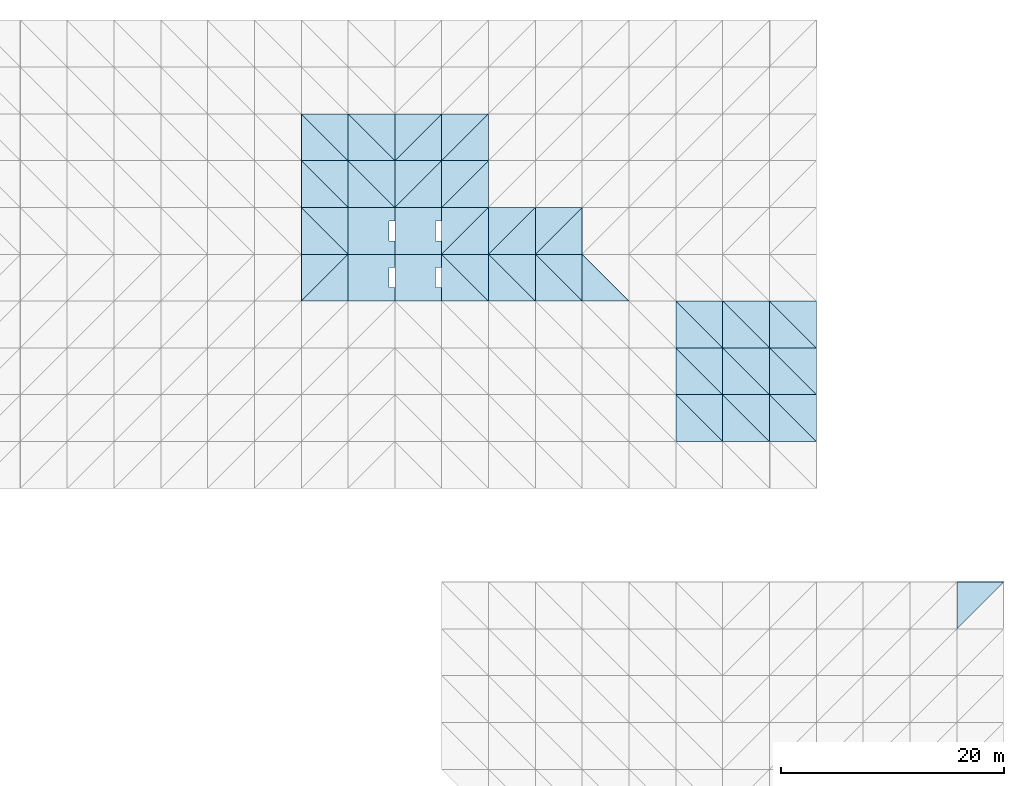
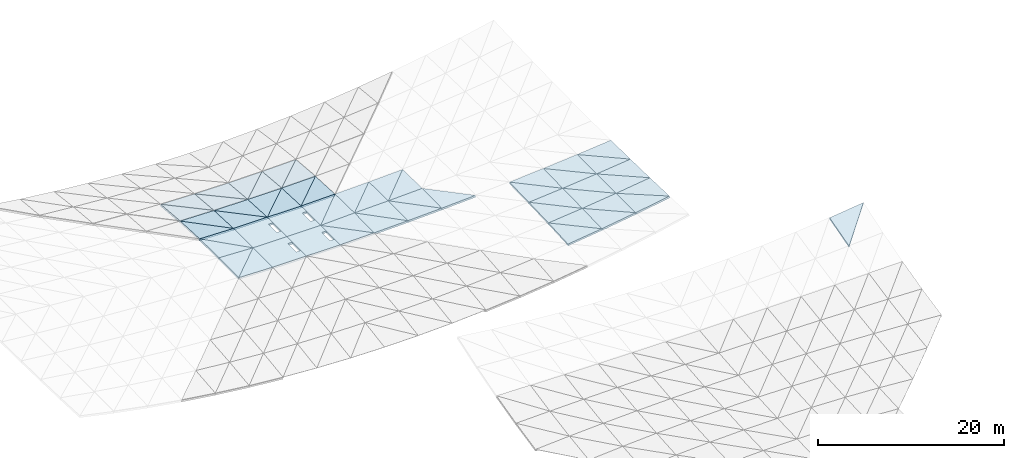
# One storey, part 27 of 64: 56 slabs.
"""IFC4 building model written with IfcOpenShell, lengths in metres."""

from ifc_helpers import new_model, si_unit, direction, frame, origin, place, context, subcontext, project, spatial, polyline, outline, extrude, material, layer, layer_set, type_object, element, save


model = new_model("IFC4")

# Units and contexts
model_context = context("Model", 3, precision=1e-05, world=origin(), true_north=direction((0.0, 1.0)))
body_context = subcontext(model_context, "Body", "Model", "MODEL_VIEW")
ifc_project = project(units=[si_unit("LENGTHUNIT", "METRE"), si_unit("AREAUNIT", "SQUARE_METRE"), si_unit("VOLUMEUNIT", "CUBIC_METRE"), si_unit("PLANEANGLEUNIT", "RADIAN"), si_unit("MASSUNIT", "GRAM", prefix="KILO")], contexts=[model_context])

# Site, building, storey
site_placement = place(None, origin())
site = spatial("IfcSite", under=ifc_project, at=site_placement, CompositionType="ELEMENT")
building_placement = place(site_placement, origin())
building = spatial("IfcBuilding", under=site, at=building_placement, Name="Cumbredor Promenade Congress Hotel", CompositionType="ELEMENT")
storey_placement = place(building_placement, frame((0.0, 0.0, 18.47998046875)))
storey = spatial("IfcBuildingStorey", under=building, at=storey_placement, Name="L05", CompositionType="ELEMENT", Elevation=18.47998046875)

# Slabs
ifc_material = material(Name="Concrete C40/50", Category="concrete")
ifc_layer = layer(ifc_material, 0.25, Name="Concrete C40/50", Category="concrete")
ifc_layer_set = layer_set([ifc_layer], Name="Concrete C40/50")
slab_type = type_object("IfcSlabType", Name="Catenary Space Frame Roof Deck 250mm", PredefinedType="ROOF", material=ifc_layer_set)
slab_1_placement = place(storey_placement, frame((184.800048828125, 67.199951171875, 3.02685546875), z_axis=(-0.118242562971, -0.267282671727, 0.956336065249), x_axis=(0.680018566113, 0.680018566113, 0.274134090333)))
element("IfcSlab", 1, at=slab_1_placement, inside=storey, type_object=slab_type, Name="Grand Ballroom Pavilion Sweeping Roof Deck Facet 12.17.2", PredefinedType="ROOF", context=body_context, shape_type="SweptSolid", body=[
    extrude(outline(polyline([(0.0, 0.0), (6.176230151892098, -2.498001805406602e-16), (3.1778310788979853, 2.986444700168626), (0.0, 0.0)])), origin(), (0.0, 0.0, -1.0), 0.25),
])
slab_2_placement = place(storey_placement, frame((126.0, 96.60009765625, 1.641357421875), z_axis=(0.023187393092, 0.0, 0.999731136257), x_axis=(0.999731136257, 0.0, -0.023187393092)))
element("IfcSlab", 2, at=slab_2_placement, inside=storey, type_object=slab_type, Name="Pre-Function and Breakout Meeting Forum Sweeping Roof Deck Facet 10.5.1", PredefinedType="ROOF", context=body_context, shape_type="SweptSolid", body=[
    extrude(outline(polyline([(0.0, 0.0), (4.201080690154269, 0.0), (4.201080690154269, 4.199951171874999), (0.0, 0.0)])), origin(), (0.0, 0.0, -1.0), 0.25),
])
slab_3_placement = place(storey_placement, frame((126.0, 96.60009765625, 1.641357421875), z_axis=(0.040129277261, -0.016957668539, 0.999050588601), x_axis=(0.707011704328, 0.707011704328, -0.016398167182)))
element("IfcSlab", 3, at=slab_3_placement, inside=storey, type_object=slab_type, Name="Pre-Function and Breakout Meeting Forum Sweeping Roof Deck Facet 10.5.2", PredefinedType="ROOF", context=body_context, shape_type="SweptSolid", body=[
    extrude(outline(polyline([(0.0, 0.0), (5.94042665229706, -1.48318857196017e-16), (2.968245626155902, 2.9722365113450633), (0.0, 0.0)])), origin(), (0.0, 0.0, -1.0), 0.25),
])
slab_4_placement = place(storey_placement, frame((126.0, 100.800048828125, 1.712646484375), z_axis=(0.040129277261, 0.016957668539, 0.999050588601), x_axis=(0.999194264342, 0.0, -0.040135048344)))
element("IfcSlab", 4, at=slab_4_placement, inside=storey, type_object=slab_type, Name="Pre-Function and Breakout Meeting Forum Sweeping Roof Deck Facet 10.6.1", PredefinedType="ROOF", context=body_context, shape_type="SweptSolid", body=[
    extrude(outline(polyline([(0.0, 0.0), (4.203337951143852, 4.336808689942018e-19), (0.002861189969830369, 4.200555176421122), (0.0, 0.0)])), origin(), (0.0, 0.0, -1.0), 0.25),
])
slab_5_placement = place(storey_placement, frame((130.199951171875, 100.800048828125, 1.5439453125), z_axis=(0.023187393092, 0.0, 0.999731136257), x_axis=(0.0, 1.0, 0.0)))
element("IfcSlab", 5, at=slab_5_placement, inside=storey, type_object=slab_type, Name="Pre-Function and Breakout Meeting Forum Sweeping Roof Deck Facet 10.6.2", PredefinedType="ROOF", context=body_context, shape_type="SweptSolid", body=[
    extrude(outline(polyline([(0.0, 0.0), (4.199951171875, 0.0), (4.199951171875, 4.201080690154269), (0.0, 0.0)])), origin(), (0.0, 0.0, -1.0), 0.25),
])
slab_6_placement = place(storey_placement, frame((126.0, 105.0, 1.641357421875), z_axis=(0.023157473554, 0.050783933233, 0.99844114676), x_axis=(0.999731136257, 0.0, -0.023187393092)))
element("IfcSlab", 6, at=slab_6_placement, inside=storey, type_object=slab_type, Name="Pre-Function and Breakout Meeting Forum Sweeping Roof Deck Facet 10.7.1", PredefinedType="ROOF", context=body_context, shape_type="SweptSolid", body=[
    extrude(outline(polyline([(0.0, 0.0), (4.201080690154269, 0.0), (0.0049533615614614866, 4.20537752365939), (0.0, 0.0)])), origin(), (0.0, 0.0, -1.0), 0.25),
])
slab_7_placement = place(storey_placement, frame((130.199951171875, 105.0, 1.5439453125), z_axis=(0.019911877279, 0.047544686565, 0.998670626344), x_axis=(0.0, 0.998868663126, -0.047554114695)))
element("IfcSlab", 7, at=slab_7_placement, inside=storey, type_object=slab_type, Name="Pre-Function and Breakout Meeting Forum Sweeping Roof Deck Facet 10.7.2", PredefinedType="ROOF", context=body_context, shape_type="SweptSolid", body=[
    extrude(outline(polyline([(0.0, 0.0), (4.204708113206953, 0.0), (4.200725920496887, 4.200784023861331), (0.0, 0.0)])), origin(), (0.0, 0.0, -1.0), 0.25),
])
slab_8_placement = place(storey_placement, frame((126.0, 109.199951171875, 1.427734375), z_axis=(0.019863140669, 0.084490735382, 0.996226265101), x_axis=(0.999801289689, 0.0, -0.019934420878)))
element("IfcSlab", 8, at=slab_8_placement, inside=storey, type_object=slab_type, Name="Pre-Function and Breakout Meeting Forum Sweeping Roof Deck Facet 10.8.1", PredefinedType="ROOF", context=body_context, shape_type="SweptSolid", body=[
    extrude(outline(polyline([(0.0, 0.0), (4.200785911348895, 0.0), (0.007100664077375966, 4.215022977582562), (0.0, 0.0)])), origin(), (0.0, 0.0, -1.0), 0.25),
])
slab_9_placement = place(storey_placement, frame((130.199951171875, 109.199951171875, 1.343994140625), z_axis=(0.02407952249, 0.088677472246, 0.99576929181), x_axis=(0.0, 0.996058102581, -0.088703192068)))
element("IfcSlab", 9, at=slab_9_placement, inside=storey, type_object=slab_type, Name="Pre-Function and Breakout Meeting Forum Sweeping Roof Deck Facet 10.8.2", PredefinedType="ROOF", context=body_context, shape_type="SweptSolid", body=[
    extrude(outline(polyline([(0.0, 0.0), (4.216572468004493, -1.734723475976807e-18), (4.20756355006004, 4.201169316623396), (0.0, 0.0)])), origin(), (0.0, 0.0, -1.0), 0.25),
])
slab_10_placement = place(storey_placement, frame((0.0, 0.0, 1.2939453125)))
element("IfcSlab", 10, at=slab_10_placement, inside=storey, type_object=slab_type, Name="Pre-Function and Breakout Meeting Forum Saddle Skylight Roof Slab 11.5", PredefinedType="ROOF", context=body_context, shape_type="SweptSolid", body=[
    extrude(outline(polyline([(130.199951171875, 96.60009765625), (134.39990234375, 96.60009765625), (134.39990234375, 97.800048828125), (133.85009765625, 97.800048828125), (133.85009765625, 99.60009765625), (134.39990234375, 99.60009765625), (134.39990234375, 100.800048828125), (130.199951171875, 100.800048828125), (130.199951171875, 96.60009765625)])), origin(), (0.0, 0.0, 1.0), 0.25),
])
slab_11_placement = place(storey_placement, frame((0.0, 0.0, 1.2939453125)))
element("IfcSlab", 11, at=slab_11_placement, inside=storey, type_object=slab_type, Name="Pre-Function and Breakout Meeting Forum Saddle Skylight Roof Slab 11.6", PredefinedType="ROOF", context=body_context, shape_type="SweptSolid", body=[
    extrude(outline(polyline([(130.199951171875, 100.800048828125), (134.39990234375, 100.800048828125), (134.39990234375, 102.0), (133.85009765625, 102.0), (133.85009765625, 103.800048828125), (134.39990234375, 103.800048828125), (134.39990234375, 105.0), (130.199951171875, 105.0), (130.199951171875, 100.800048828125)])), origin(), (0.0, 0.0, 1.0), 0.25),
])
slab_12_placement = place(storey_placement, frame((130.199951171875, 105.0, 1.5439453125), z_axis=(0.0, 0.047554114695, 0.998868663126), x_axis=(1.0, 0.0, 0.0)))
element("IfcSlab", 12, at=slab_12_placement, inside=storey, type_object=slab_type, Name="Pre-Function and Breakout Meeting Forum Sweeping Roof Deck Facet 11.7.1", PredefinedType="ROOF", context=body_context, shape_type="SweptSolid", body=[
    extrude(outline(polyline([(0.0, 0.0), (4.199951171875, 0.0), (0.0, 4.204708113206953), (0.0, 0.0)])), origin(), (0.0, 0.0, -1.0), 0.25),
])
slab_13_placement = place(storey_placement, frame((134.39990234375, 105.0, 1.5439453125), z_axis=(0.006674901011, 0.054211804735, 0.998507148659), x_axis=(0.0, 0.998529393298, -0.054213012459)))
element("IfcSlab", 13, at=slab_13_placement, inside=storey, type_object=slab_type, Name="Pre-Function and Breakout Meeting Forum Sweeping Roof Deck Facet 11.7.2", PredefinedType="ROOF", context=body_context, shape_type="SweptSolid", body=[
    extrude(outline(polyline([(0.0, 0.0), (4.206136744761381, -2.168404344971009e-19), (4.204614650905707, 4.200044737951209), (0.0, 0.0)])), origin(), (0.0, 0.0, -1.0), 0.25),
])
slab_14_placement = place(storey_placement, frame((130.199951171875, 109.199951171875, 1.343994140625), z_axis=(0.006658381829, 0.088701225761, 0.996036022692), x_axis=(0.999977656935, 0.0, -0.006684731183)))
element("IfcSlab", 14, at=slab_14_placement, inside=storey, type_object=slab_type, Name="Pre-Function and Breakout Meeting Forum Sweeping Roof Deck Facet 11.8.1", PredefinedType="ROOF", context=body_context, shape_type="SweptSolid", body=[
    extrude(outline(polyline([(0.0, 0.0), (4.2000450137541785, 0.0), (0.0025002461359674693, 4.216571726735212), (0.0, 0.0)])), origin(), (0.0, 0.0, -1.0), 0.25),
])
slab_15_placement = place(storey_placement, frame((134.39990234375, 109.199951171875, 1.31591796875), z_axis=(0.008046875416, 0.090078691709, 0.995902142329), x_axis=(0.0, 0.995934387325, -0.090081608247)))
element("IfcSlab", 15, at=slab_15_placement, inside=storey, type_object=slab_type, Name="Pre-Function and Breakout Meeting Forum Sweeping Roof Deck Facet 11.8.2", PredefinedType="ROOF", context=body_context, shape_type="SweptSolid", body=[
    extrude(outline(polyline([(0.0, 0.0), (4.2170962518499735, 4.336808689942018e-19), (4.214039283210725, 4.200087156526473), (0.0, 0.0)])), origin(), (0.0, 0.0, -1.0), 0.25),
])
slab_16_placement = place(storey_placement, frame((0.0, 0.0, 1.2939453125)))
element("IfcSlab", 16, at=slab_16_placement, inside=storey, type_object=slab_type, Name="Pre-Function and Breakout Meeting Forum Saddle Skylight Roof Slab 12.5", PredefinedType="ROOF", context=body_context, shape_type="SweptSolid", body=[
    extrude(outline(polyline([(134.39990234375, 96.60009765625), (138.60009765625, 96.60009765625), (138.60009765625, 97.800048828125), (138.050048828125, 97.800048828125), (138.050048828125, 99.60009765625), (138.60009765625, 99.60009765625), (138.60009765625, 100.800048828125), (134.39990234375, 100.800048828125), (134.39990234375, 96.60009765625)])), origin(), (0.0, 0.0, 1.0), 0.25),
])
slab_17_placement = place(storey_placement, frame((0.0, 0.0, 1.2939453125)))
element("IfcSlab", 17, at=slab_17_placement, inside=storey, type_object=slab_type, Name="Pre-Function and Breakout Meeting Forum Saddle Skylight Roof Slab 12.6", PredefinedType="ROOF", context=body_context, shape_type="SweptSolid", body=[
    extrude(outline(polyline([(134.39990234375, 100.800048828125), (138.60009765625, 100.800048828125), (138.60009765625, 102.0), (138.050048828125, 102.0), (138.050048828125, 103.800048828125), (138.60009765625, 103.800048828125), (138.60009765625, 105.0), (134.39990234375, 105.0), (134.39990234375, 100.800048828125)])), origin(), (0.0, 0.0, 1.0), 0.25),
])
slab_18_placement = place(storey_placement, frame((134.39990234375, 105.0, 1.5439453125), z_axis=(0.0, 0.047554114695, 0.998868663126), x_axis=(1.0, 0.0, 0.0)))
element("IfcSlab", 18, at=slab_18_placement, inside=storey, type_object=slab_type, Name="Pre-Function and Breakout Meeting Forum Sweeping Roof Deck Facet 12.7.1", PredefinedType="ROOF", context=body_context, shape_type="SweptSolid", body=[
    extrude(outline(polyline([(0.0, 0.0), (4.2001953125, 0.0), (4.2001953125, 4.204708113206952), (0.0, 0.0)])), origin(), (0.0, 0.0, -1.0), 0.25),
])
slab_19_placement = place(storey_placement, frame((134.39990234375, 105.0, 1.5439453125), z_axis=(-0.006674513043, 0.054211804875, 0.998507151245), x_axis=(0.706727016181, 0.706685936955, -0.033643886669)))
element("IfcSlab", 19, at=slab_19_placement, inside=storey, type_object=slab_type, Name="Pre-Function and Breakout Meeting Forum Sweeping Roof Deck Facet 12.7.2", PredefinedType="ROOF", context=body_context, shape_type="SweptSolid", body=[
    extrude(outline(polyline([(0.0, 0.0), (5.9431650642074, -1.0928757898653885e-16), (2.9757181551704215, 2.9726566866392443), (0.0, 0.0)])), origin(), (0.0, 0.0, -1.0), 0.25),
])
slab_20_placement = place(storey_placement, frame((134.39990234375, 109.199951171875, 1.31591796875), z_axis=(-0.006657994821, 0.088701225989, 0.996036025259), x_axis=(0.999977659532, 0.0, 0.006684342644)))
element("IfcSlab", 20, at=slab_20_placement, inside=storey, type_object=slab_type, Name="Pre-Function and Breakout Meeting Forum Sweeping Roof Deck Facet 12.8.1", PredefinedType="ROOF", context=body_context, shape_type="SweptSolid", body=[
    extrude(outline(polyline([(0.0, 0.0), (4.2002891489246466, 0.0), (4.197789048111535, 4.21657172682138), (0.0, 0.0)])), origin(), (0.0, 0.0, -1.0), 0.25),
])
slab_21_placement = place(storey_placement, frame((134.39990234375, 109.199951171875, 1.31591796875), z_axis=(-0.008046407714, 0.090078692048, 0.995902146078), x_axis=(0.705931030968, 0.705889998008, -0.05814370326)))
element("IfcSlab", 21, at=slab_21_placement, inside=storey, type_object=slab_type, Name="Pre-Function and Breakout Meeting Forum Sweeping Roof Deck Facet 12.8.2", PredefinedType="ROOF", context=body_context, shape_type="SweptSolid", body=[
    extrude(outline(polyline([(0.0, 0.0), (5.949866386724543, -6.487865800153259e-16), (2.9867913178735432, 2.9770754812134537), (0.0, 0.0)])), origin(), (0.0, 0.0, -1.0), 0.25),
])
slab_22_placement = place(storey_placement, frame((138.60009765625, 96.60009765625, 1.5439453125), z_axis=(-0.023187393092, 0.0, 0.999731136257), x_axis=(0.999731136257, 0.0, 0.023187393092)))
element("IfcSlab", 22, at=slab_22_placement, inside=storey, type_object=slab_type, Name="Pre-Function and Breakout Meeting Forum Sweeping Roof Deck Facet 13.5.1", PredefinedType="ROOF", context=body_context, shape_type="SweptSolid", body=[
    extrude(outline(polyline([(0.0, 0.0), (4.201080690154269, 0.0), (0.0, 4.199951171874999), (0.0, 0.0)])), origin(), (0.0, 0.0, -1.0), 0.25),
])
slab_23_placement = place(storey_placement, frame((142.800048828125, 96.60009765625, 1.641357421875), z_axis=(-0.040129277261, -0.016957668539, 0.999050588601), x_axis=(0.0, 0.999855976455, 0.016971339018)))
element("IfcSlab", 23, at=slab_23_placement, inside=storey, type_object=slab_type, Name="Pre-Function and Breakout Meeting Forum Sweeping Roof Deck Facet 13.5.2", PredefinedType="ROOF", context=body_context, shape_type="SweptSolid", body=[
    extrude(outline(polyline([(0.0, 0.0), (4.200556150864587, 4.336808689942018e-19), (4.197693066083982, 4.203336976055063), (0.0, 0.0)])), origin(), (0.0, 0.0, -1.0), 0.25),
])
slab_24_placement = place(storey_placement, frame((138.60009765625, 100.800048828125, 1.5439453125), z_axis=(-0.040129277261, 0.016957668539, 0.999050588601), x_axis=(0.999194264342, 0.0, 0.040135048344)))
element("IfcSlab", 24, at=slab_24_placement, inside=storey, type_object=slab_type, Name="Pre-Function and Breakout Meeting Forum Sweeping Roof Deck Facet 13.6.1", PredefinedType="ROOF", context=body_context, shape_type="SweptSolid", body=[
    extrude(outline(polyline([(0.0, 0.0), (4.203337951143852, -4.336808689942018e-19), (4.200476761174022, 4.200555176421121), (0.0, 0.0)])), origin(), (0.0, 0.0, -1.0), 0.25),
])
slab_25_placement = place(storey_placement, frame((138.60009765625, 100.800048828125, 1.5439453125), z_axis=(-0.023187393092, 0.0, 0.999731136257), x_axis=(0.707011704328, 0.707011704328, 0.016398167182)))
element("IfcSlab", 25, at=slab_25_placement, inside=storey, type_object=slab_type, Name="Pre-Function and Breakout Meeting Forum Sweeping Roof Deck Facet 13.6.2", PredefinedType="ROOF", context=body_context, shape_type="SweptSolid", body=[
    extrude(outline(polyline([(0.0, 0.0), (5.94042665229706, 1.8648277366750676e-16), (2.9694146361210034, 2.9702132187646995), (0.0, 0.0)])), origin(), (0.0, 0.0, -1.0), 0.25),
])
slab_26_placement = place(storey_placement, frame((138.60009765625, 105.0, 1.5439453125), z_axis=(-0.023157473554, 0.050783933233, 0.99844114676), x_axis=(0.999731136257, 0.0, 0.023187393092)))
element("IfcSlab", 26, at=slab_26_placement, inside=storey, type_object=slab_type, Name="Pre-Function and Breakout Meeting Forum Sweeping Roof Deck Facet 13.7.1", PredefinedType="ROOF", context=body_context, shape_type="SweptSolid", body=[
    extrude(outline(polyline([(0.0, 0.0), (4.201080690154269, 0.0), (4.196127328592808, 4.20537752365939), (0.0, 0.0)])), origin(), (0.0, 0.0, -1.0), 0.25),
])
slab_27_placement = place(storey_placement, frame((138.60009765625, 105.0, 1.5439453125), z_axis=(-0.019911877279, 0.047544686565, 0.998670626344), x_axis=(0.706971478671, 0.706971478671, -0.019561612733)))
element("IfcSlab", 27, at=slab_27_placement, inside=storey, type_object=slab_type, Name="Pre-Function and Breakout Meeting Forum Sweeping Roof Deck Facet 13.7.2", PredefinedType="ROOF", context=body_context, shape_type="SweptSolid", body=[
    extrude(outline(polyline([(0.0, 0.0), (5.940764654003979, 1.0408340855860843e-16), (2.973157057714372, 2.973198181660885), (0.0, 0.0)])), origin(), (0.0, 0.0, -1.0), 0.25),
])
slab_28_placement = place(storey_placement, frame((138.60009765625, 109.199951171875, 1.343994140625), z_axis=(-0.019863140669, 0.084490735382, 0.996226265101), x_axis=(0.999801289689, 0.0, 0.019934420878)))
element("IfcSlab", 28, at=slab_28_placement, inside=storey, type_object=slab_type, Name="Pre-Function and Breakout Meeting Forum Sweeping Roof Deck Facet 13.8.1", PredefinedType="ROOF", context=body_context, shape_type="SweptSolid", body=[
    extrude(outline(polyline([(0.0, 0.0), (4.200785911348895, 0.0), (4.193685247271518, 4.215022977582563), (0.0, 0.0)])), origin(), (0.0, 0.0, -1.0), 0.25),
])
slab_29_placement = place(storey_placement, frame((138.60009765625, 109.199951171875, 1.343994140625), z_axis=(-0.02407952249, 0.088677472246, 0.99576929181), x_axis=(0.706364001027, 0.706364001027, -0.045823532241)))
element("IfcSlab", 29, at=slab_29_placement, inside=storey, type_object=slab_type, Name="Pre-Function and Breakout Meeting Forum Sweeping Roof Deck Facet 13.8.2", PredefinedType="ROOF", context=body_context, shape_type="SweptSolid", body=[
    extrude(outline(polyline([(0.0, 0.0), (5.945873750318935, -4.128641872824801e-16), (2.9838333889297197, 2.9792988579599875), (0.0, 0.0)])), origin(), (0.0, 0.0, -1.0), 0.25),
])
slab_30_placement = place(storey_placement, frame((142.800048828125, 96.60009765625, 1.641357421875), z_axis=(-0.02893215325, -0.016964234436, 0.999437414378), x_axis=(0.999581257099, 0.0, 0.028936317272)))
element("IfcSlab", 30, at=slab_30_placement, inside=storey, type_object=slab_type, Name="Pre-Function and Breakout Meeting Forum Sweeping Roof Deck Facet 14.5.1", PredefinedType="ROOF", context=body_context, shape_type="SweptSolid", body=[
    extrude(outline(polyline([(0.0, 0.0), (4.2017106083662, 0.0), (0.0020628429305435854, 4.2005556443458), (0.0, 0.0)])), origin(), (0.0, 0.0, -1.0), 0.25),
])
slab_31_placement = place(storey_placement, frame((147.0, 96.60009765625, 1.762939453125), z_axis=(-0.027539541497, -0.015570880003, 0.999499435393), x_axis=(0.0, 0.999878674477, 0.015576788046)))
element("IfcSlab", 31, at=slab_31_placement, inside=storey, type_object=slab_type, Name="Pre-Function and Breakout Meeting Forum Sweeping Roof Deck Facet 14.5.2", PredefinedType="ROOF", context=body_context, shape_type="SweptSolid", body=[
    extrude(outline(polyline([(0.0, 0.0), (4.200460794977205, 2.168404344971009e-19), (4.198658207688648, 4.2015447552040674), (0.0, 0.0)])), origin(), (0.0, 0.0, -1.0), 0.25),
])
slab_32_placement = place(storey_placement, frame((142.800048828125, 100.800048828125, 1.712646484375), z_axis=(-0.027539541497, 0.015570880003, 0.999499435393), x_axis=(0.9996206229, 0.0, 0.027542880617)))
element("IfcSlab", 32, at=slab_32_placement, inside=storey, type_object=slab_type, Name="Pre-Function and Breakout Meeting Forum Sweeping Roof Deck Facet 14.6.1", PredefinedType="ROOF", context=body_context, shape_type="SweptSolid", body=[
    extrude(outline(polyline([(0.0, 0.0), (4.20154514188575, -2.168404344971009e-19), (4.199743019814128, 4.20046040839532), (0.0, 0.0)])), origin(), (0.0, 0.0, -1.0), 0.25),
])
slab_33_placement = place(storey_placement, frame((142.800048828125, 100.800048828125, 1.712646484375), z_axis=(-0.02893215325, 0.016964234436, 0.999437414378), x_axis=(0.707081434119, 0.707081434119, 0.008467056643)))
element("IfcSlab", 33, at=slab_33_placement, inside=storey, type_object=slab_type, Name="Pre-Function and Breakout Meeting Forum Sweeping Roof Deck Facet 14.6.2", PredefinedType="ROOF", context=body_context, shape_type="SweptSolid", body=[
    extrude(outline(polyline([(0.0, 0.0), (5.939840829094166, 3.2894693913210205e-16), (2.969103889309299, 2.971379153028895), (0.0, 0.0)])), origin(), (0.0, 0.0, -1.0), 0.25),
])
slab_34_placement = place(storey_placement, frame((147.0, 96.60009765625, 1.762939453125), z_axis=(-0.040536050793, -0.015563985118, 0.999056850711), x_axis=(0.999177877283, 0.0, 0.040540961364)))
element("IfcSlab", 34, at=slab_34_placement, inside=storey, type_object=slab_type, Name="Pre-Function and Breakout Meeting Forum Sweeping Roof Deck Facet 15.5.1", PredefinedType="ROOF", context=body_context, shape_type="SweptSolid", body=[
    extrude(outline(polyline([(0.0, 0.0), (4.203406888166709, 0.0), (0.0026525824329908325, 4.200459957426921), (0.0, 0.0)])), origin(), (0.0, 0.0, -1.0), 0.25),
])
slab_35_placement = place(storey_placement, frame((151.199951171875, 96.60009765625, 1.933349609375), z_axis=(-0.038507672945, -0.013532862438, 0.999166663154), x_axis=(0.0, 0.999908290628, 0.013542907151)))
element("IfcSlab", 35, at=slab_35_placement, inside=storey, type_object=slab_type, Name="Pre-Function and Breakout Meeting Forum Sweeping Roof Deck Facet 15.5.2", PredefinedType="ROOF", context=body_context, shape_type="SweptSolid", body=[
    extrude(outline(polyline([(0.0, 0.0), (4.200336382088273, -4.336808689942018e-19), (4.19814425624818, 4.20306856889318), (0.0, 0.0)])), origin(), (0.0, 0.0, -1.0), 0.25),
])
slab_36_placement = place(storey_placement, frame((147.0, 100.800048828125, 1.828369140625), z_axis=(-0.038507672945, 0.013532862438, 0.999166663154), x_axis=(0.999258168598, 0.0, 0.038511199545)))
element("IfcSlab", 36, at=slab_36_placement, inside=storey, type_object=slab_type, Name="Pre-Function and Breakout Meeting Forum Sweeping Roof Deck Facet 15.6.1", PredefinedType="ROOF", context=body_context, shape_type="SweptSolid", body=[
    extrude(outline(polyline([(0.0, 0.0), (4.20306914054878, 0.0), (4.200878439988699, 4.2003358108043525), (0.0, 0.0)])), origin(), (0.0, 0.0, -1.0), 0.25),
])
slab_37_placement = place(storey_placement, frame((147.0, 100.800048828125, 1.828369140625), z_axis=(-0.040536050793, 0.015563985118, 0.999056850711), x_axis=(0.706996360154, 0.706996360154, 0.017671826708)))
element("IfcSlab", 37, at=slab_37_placement, inside=storey, type_object=slab_type, Name="Pre-Function and Breakout Meeting Forum Sweeping Roof Deck Facet 15.6.2", PredefinedType="ROOF", context=body_context, shape_type="SweptSolid", body=[
    extrude(outline(polyline([(0.0, 0.0), (5.940555579328195, 1.5612511283791264e-16), (2.9681939292392445, 2.9721533756803042), (0.0, 0.0)])), origin(), (0.0, 0.0, -1.0), 0.25),
])
slab_38_placement = place(storey_placement, frame((151.199951171875, 96.60009765625, 1.933349609375), z_axis=(-0.052066568165, -0.013524537773, 0.998552031372), x_axis=(0.998643368037, 0.0, 0.052071330648)))
element("IfcSlab", 38, at=slab_38_placement, inside=storey, type_object=slab_type, Name="Pre-Function and Breakout Meeting Forum Sweeping Roof Deck Facet 16.5.1", PredefinedType="ROOF", context=body_context, shape_type="SweptSolid", body=[
    extrude(outline(polyline([(0.0, 0.0), (4.205656700179208, -4.336808689942018e-19), (0.002962065439666198, 4.200335337668022), (0.0, 0.0)])), origin(), (0.0, 0.0, -1.0), 0.25),
])
slab_39_placement = place(storey_placement, frame((159.60009765625, 84.0, 1.922607421875), z_axis=(-0.129266272688, -0.054676295215, 0.990101375359), x_axis=(0.991584654556, 0.0, 0.129459927579)))
element("IfcSlab", 39, at=slab_39_placement, inside=storey, type_object=slab_type, Name="Pre-Function and Breakout Meeting Forum Sweeping Roof Deck Facet 18.2.1", PredefinedType="ROOF", context=body_context, shape_type="SweptSolid", body=[
    extrude(outline(polyline([(0.0, 0.0), (4.235595168376927, 3.469446951953614e-18), (0.03002610624990055, 4.2062431540494005), (0.0, 0.0)])), origin(), (0.0, 0.0, -1.0), 0.25),
])
slab_40_placement = place(storey_placement, frame((163.800048828125, 84.0, 2.470947265625), z_axis=(-0.104191620878, -0.029298475755, 0.994125598432), x_axis=(0.0, 0.999565994989, 0.029458812966)))
element("IfcSlab", 40, at=slab_40_placement, inside=storey, type_object=slab_type, Name="Pre-Function and Breakout Meeting Forum Sweeping Roof Deck Facet 18.2.2", PredefinedType="ROOF", context=body_context, shape_type="SweptSolid", body=[
    extrude(outline(polyline([(0.0, 0.0), (4.201774763176752, 0.0), (4.188807419480887, 4.222935591482459), (0.0, 0.0)])), origin(), (0.0, 0.0, -1.0), 0.25),
])
slab_41_placement = place(storey_placement, frame((159.60009765625, 88.199951171875, 2.154541015625), z_axis=(-0.104156150302, -0.039224640075, 0.993787162307), x_axis=(0.99455255237, 0.0, 0.104236368768)))
element("IfcSlab", 41, at=slab_41_placement, inside=storey, type_object=slab_type, Name="Pre-Function and Breakout Meeting Forum Sweeping Roof Deck Facet 18.3.1", PredefinedType="ROOF", context=body_context, shape_type="SweptSolid", body=[
    extrude(outline(polyline([(0.0, 0.0), (4.222955500808863, -3.469446951953614e-18), (0.01727941757660322, 4.203185869420277), (0.0, 0.0)])), origin(), (0.0, 0.0, -1.0), 0.25),
])
slab_42_placement = place(storey_placement, frame((163.800048828125, 88.199951171875, 2.5947265625), z_axis=(-0.086040902939, -0.020960166126, 0.996071099098), x_axis=(0.0, 0.999778672914, 0.021038184014)))
element("IfcSlab", 42, at=slab_42_placement, inside=storey, type_object=slab_type, Name="Pre-Function and Breakout Meeting Forum Sweeping Roof Deck Facet 18.3.2", PredefinedType="ROOF", context=body_context, shape_type="SweptSolid", body=[
    extrude(outline(polyline([(0.0, 0.0), (4.200880940612829, 0.0), (4.19324843537724, 4.215584221572669), (0.0, 0.0)])), origin(), (0.0, 0.0, -1.0), 0.25),
])
slab_43_placement = place(storey_placement, frame((159.60009765625, 92.39990234375, 2.3203125), z_axis=(-0.086035797656, -0.023620837866, 0.996011996685), x_axis=(0.996289972461, 0.0, 0.086059809282)))
element("IfcSlab", 43, at=slab_43_placement, inside=storey, type_object=slab_type, Name="Pre-Function and Breakout Meeting Forum Sweeping Roof Deck Facet 18.4.1", PredefinedType="ROOF", context=body_context, shape_type="SweptSolid", body=[
    extrude(outline(polyline([(0.0, 0.0), (4.215591131064376, -1.734723475976807e-18), (0.008572363815192349, 4.201367539898585), (0.0, 0.0)])), origin(), (0.0, 0.0, -1.0), 0.25),
])
slab_44_placement = place(storey_placement, frame((163.800048828125, 92.39990234375, 2.68310546875), z_axis=(-0.075116823986, -0.012634657244, 0.997094693693), x_axis=(0.0, 0.999919726569, 0.012670454568)))
element("IfcSlab", 44, at=slab_44_placement, inside=storey, type_object=slab_type, Name="Pre-Function and Breakout Meeting Forum Sweeping Roof Deck Facet 18.4.2", PredefinedType="ROOF", context=body_context, shape_type="SweptSolid", body=[
    extrude(outline(polyline([(0.0, 0.0), (4.2005325036577545, 0.0), (4.196523492642023, 4.211850743913408), (0.0, 0.0)])), origin(), (0.0, 0.0, -1.0), 0.25),
])
slab_45_placement = place(storey_placement, frame((163.800048828125, 84.0, 2.470947265625), z_axis=(-0.148870302384, -0.029130545469, 0.988427561528), x_axis=(0.98884721285, 0.0, 0.14893350744)))
element("IfcSlab", 45, at=slab_45_placement, inside=storey, type_object=slab_type, Name="Pre-Function and Breakout Meeting Forum Sweeping Roof Deck Facet 19.2.1", PredefinedType="ROOF", context=body_context, shape_type="SweptSolid", body=[
    extrude(outline(polyline([(0.0, 0.0), (4.247320634872833, 0.0), (0.01843488483208288, 4.201734322335277), (0.0, 0.0)])), origin(), (0.0, 0.0, -1.0), 0.25),
])
slab_46_placement = place(storey_placement, frame((168.0, 84.0, 3.103515625), z_axis=(-0.12003492741, 0.000230836399, 0.992769642423), x_axis=(0.0, 0.999999972968, -0.000232517578)))
element("IfcSlab", 46, at=slab_46_placement, inside=storey, type_object=slab_type, Name="Pre-Function and Breakout Meeting Forum Sweeping Roof Deck Facet 19.2.2", PredefinedType="ROOF", context=body_context, shape_type="SweptSolid", body=[
    extrude(outline(polyline([(0.0, 0.0), (4.199951285408976, 1.3552527156068805e-20), (4.200069360741481, 4.230539370736154), (0.0, 0.0)])), origin(), (0.0, 0.0, -1.0), 0.25),
])
slab_47_placement = place(storey_placement, frame((163.800048828125, 88.199951171875, 2.5947265625), z_axis=(-0.120008746289, -0.020886137575, 0.992553106927), x_axis=(0.992769668873, 0.0, 0.120034930608)))
element("IfcSlab", 47, at=slab_47_placement, inside=storey, type_object=slab_type, Name="Pre-Function and Breakout Meeting Forum Sweeping Roof Deck Facet 19.3.1", PredefinedType="ROOF", context=body_context, shape_type="SweptSolid", body=[
    extrude(outline(polyline([(0.0, 0.0), (4.230539372383909, 0.0), (0.010608555878960724, 4.200867545608442), (0.0, 0.0)])), origin(), (0.0, 0.0, -1.0), 0.25),
])
slab_48_placement = place(storey_placement, frame((168.0, 88.199951171875, 3.1025390625), z_axis=(-0.099200182042, 0.000173528015, 0.995067482019), x_axis=(0.0, 0.999999984794, -0.000174388185)))
element("IfcSlab", 48, at=slab_48_placement, inside=storey, type_object=slab_type, Name="Pre-Function and Breakout Meeting Forum Sweeping Roof Deck Facet 19.3.2", PredefinedType="ROOF", context=body_context, shape_type="SweptSolid", body=[
    extrude(outline(polyline([(0.0, 0.0), (4.199951235737862, 1.3552527156068805e-20), (4.200024252275473, 4.2207701325862645), (0.0, 0.0)])), origin(), (0.0, 0.0, -1.0), 0.25),
])
slab_49_placement = place(storey_placement, frame((163.800048828125, 92.39990234375, 2.68310546875), z_axis=(-0.099192298749, -0.012607967472, 0.994988405473), x_axis=(0.995067497, 0.0, 0.099200183535)))
element("IfcSlab", 49, at=slab_49_placement, inside=storey, type_object=slab_type, Name="Pre-Function and Breakout Meeting Forum Sweeping Roof Deck Facet 19.4.1", PredefinedType="ROOF", context=body_context, shape_type="SweptSolid", body=[
    extrude(outline(polyline([(0.0, 0.0), (4.220770133217833, 0.0), (0.005279697268229603, 4.200529185600552), (0.0, 0.0)])), origin(), (0.0, 0.0, -1.0), 0.25),
])
slab_50_placement = place(storey_placement, frame((168.0, 92.39990234375, 3.101806640625), z_axis=(-0.086577137099, 0.000115815525, 0.996245143486), x_axis=(0.0, 0.999999993243, -0.000116252034)))
element("IfcSlab", 50, at=slab_50_placement, inside=storey, type_object=slab_type, Name="Pre-Function and Breakout Meeting Forum Sweeping Roof Deck Facet 19.4.2", PredefinedType="ROOF", context=body_context, shape_type="SweptSolid", body=[
    extrude(outline(polyline([(0.0, 0.0), (4.200195340881844, 0.0), (4.200237771738844, 4.2157807954782145), (0.0, 0.0)])), origin(), (0.0, 0.0, -1.0), 0.25),
])
slab_51_placement = place(storey_placement, frame((168.0, 84.0, 3.103515625), z_axis=(-0.168346703189, 0.000229199051, 0.985727819935), x_axis=(0.985727845826, 0.0, 0.168346707611)))
element("IfcSlab", 51, at=slab_51_placement, inside=storey, type_object=slab_type, Name="Pre-Function and Breakout Meeting Forum Sweeping Roof Deck Facet 20.2.1", PredefinedType="ROOF", context=body_context, shape_type="SweptSolid", body=[
    extrude(outline(polyline([(0.0, 0.0), (4.260761415699167, -2.710505431213761e-20), (-0.00016440108165161058, 4.199951282191353), (0.0, 0.0)])), origin(), (0.0, 0.0, -1.0), 0.25),
])
slab_52_placement = place(storey_placement, frame((172.199951171875, 84.0, 3.82080078125), z_axis=(-0.135665853434, 0.033671838888, 0.990182298104), x_axis=(0.0, 0.999422307276, -0.033986051837)))
element("IfcSlab", 52, at=slab_52_placement, inside=storey, type_object=slab_type, Name="Pre-Function and Breakout Meeting Forum Sweeping Roof Deck Facet 20.2.2", PredefinedType="ROOF", context=body_context, shape_type="SweptSolid", body=[
    extrude(outline(polyline([(0.0, 0.0), (4.202378855564125, 0.0), (4.221935770647234, 4.239143538194881), (0.0, 0.0)])), origin(), (0.0, 0.0, -1.0), 0.25),
])
slab_53_placement = place(storey_placement, frame((168.0, 88.199951171875, 3.1025390625), z_axis=(-0.135742825348, 0.000172774067, 0.99074409184), x_axis=(0.990744106627, 0.0, 0.135742827374)))
element("IfcSlab", 53, at=slab_53_placement, inside=storey, type_object=slab_type, Name="Pre-Function and Breakout Meeting Forum Sweeping Roof Deck Facet 20.3.1", PredefinedType="ROOF", context=body_context, shape_type="SweptSolid", body=[
    extrude(outline(polyline([(0.0, 0.0), (4.23918865000686, 0.0), (-9.942101614329079e-05, 4.199951234561117), (0.0, 0.0)])), origin(), (0.0, 0.0, -1.0), 0.25),
])
slab_54_placement = place(storey_placement, frame((172.199951171875, 88.199951171875, 3.677978515625), z_axis=(-0.112142114967, 0.024137695189, 0.993398972076), x_axis=(0.0, 0.99970493212, -0.024290917958)))
element("IfcSlab", 54, at=slab_54_placement, inside=storey, type_object=slab_type, Name="Pre-Function and Breakout Meeting Forum Sweeping Roof Deck Facet 20.3.2", PredefinedType="ROOF", context=body_context, shape_type="SweptSolid", body=[
    extrude(outline(polyline([(0.0, 0.0), (4.201190808340883, 1.734723475976807e-18), (4.212707644931173, 4.22661188425763), (0.0, 0.0)])), origin(), (0.0, 0.0, -1.0), 0.25),
])
slab_55_placement = place(storey_placement, frame((168.0, 92.39990234375, 3.101806640625), z_axis=(-0.112174797087, 0.000115518308, 0.993688483155), x_axis=(0.993688489785, 0.0, 0.112174797835)))
element("IfcSlab", 55, at=slab_55_placement, inside=storey, type_object=slab_type, Name="Pre-Function and Breakout Meeting Forum Sweeping Roof Deck Facet 20.4.1", PredefinedType="ROOF", context=body_context, shape_type="SweptSolid", body=[
    extrude(outline(polyline([(0.0, 0.0), (4.226627574990832, 0.0), (-5.477285050555214e-05, 4.2001953405247106), (0.0, 0.0)])), origin(), (0.0, 0.0, -1.0), 0.25),
])
slab_56_placement = place(storey_placement, frame((172.199951171875, 92.39990234375, 3.575927734375), z_axis=(-0.097986978492, 0.014460047653, 0.995082639316), x_axis=(0.0, 0.99989443441, -0.014529970274)))
element("IfcSlab", 56, at=slab_56_placement, inside=storey, type_object=slab_type, Name="Pre-Function and Breakout Meeting Forum Sweeping Roof Deck Facet 20.4.2", PredefinedType="ROOF", context=body_context, shape_type="SweptSolid", body=[
    extrude(outline(polyline([(0.0, 0.0), (4.2006387554091615, 0.0), (4.2066479765138975, 4.220260343842612), (0.0, 0.0)])), origin(), (0.0, 0.0, -1.0), 0.25),
])

save(model, "model.ifc")
